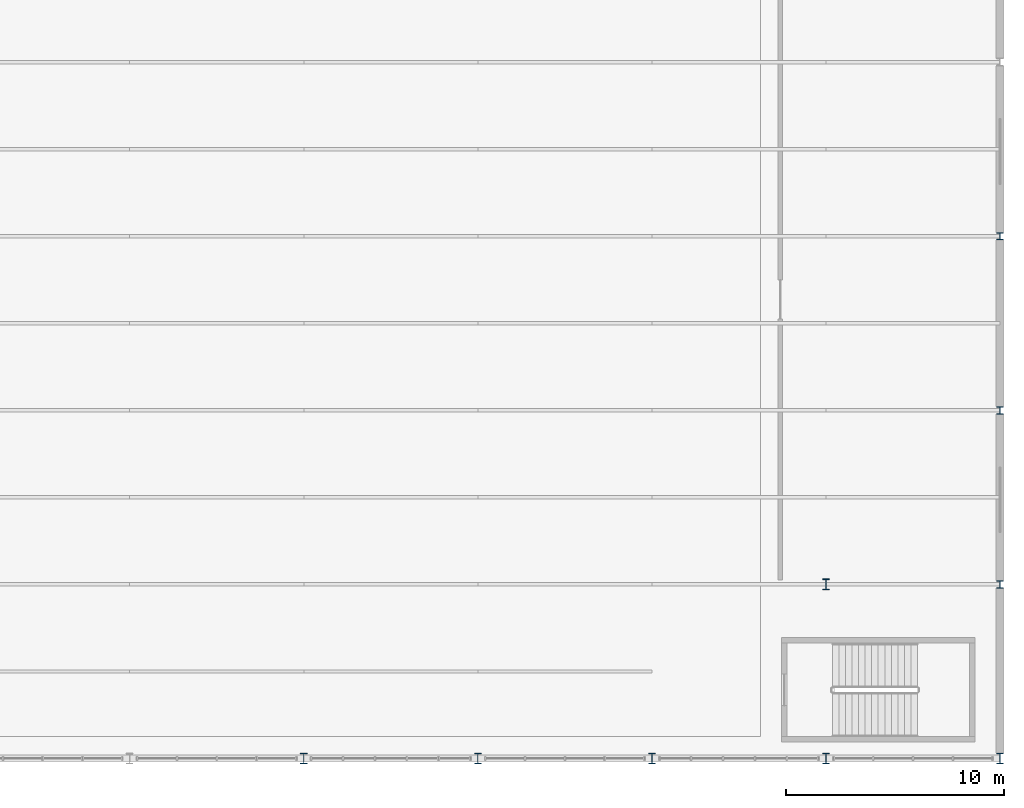
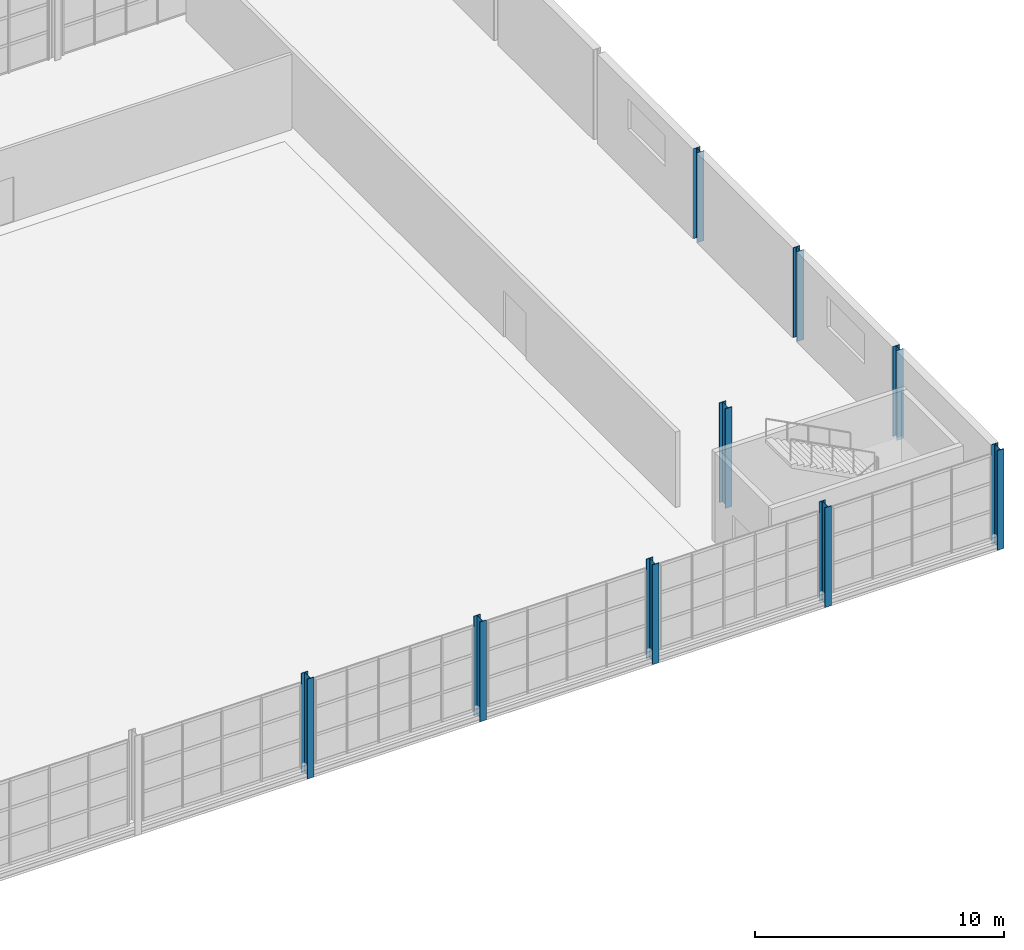
# One storey, part 13 of 153: 9 columns.
"""IFC4 building model written with IfcOpenShell, lengths in metres."""

from ifc_helpers import new_model, si_unit, derived_unit, direction, frame, origin, origin_2d, place, context, subcontext, project, spatial, i_section, extrude, material, material_profile, profile_set, type_object, element, save


model = new_model("IFC4")

# Units and contexts
model_context = context("Model", 3, precision=1e-05, world=origin(), true_north=direction((0.0, 1.0)))
body_context = subcontext(model_context, "Body", "Model", "MODEL_VIEW")
ifc_project = project(units=[si_unit("LENGTHUNIT", "METRE"), si_unit("AREAUNIT", "SQUARE_METRE"), si_unit("VOLUMEUNIT", "CUBIC_METRE"), si_unit("PLANEANGLEUNIT", "RADIAN"), si_unit("MASSUNIT", "GRAM", prefix="KILO"), derived_unit("THERMALTRANSMITTANCEUNIT", [(si_unit("POWERUNIT", "WATT"), 1), (si_unit("LENGTHUNIT", "METRE"), -2), (si_unit("THERMODYNAMICTEMPERATUREUNIT", "KELVIN"), -1)])], contexts=[model_context])

# Site, building, storey
site_placement = place(None, origin())
site = spatial("IfcSite", under=ifc_project, at=site_placement, CompositionType="ELEMENT")
building_placement = place(site_placement, origin())
building = spatial("IfcBuilding", under=site, at=building_placement, Name="Keldorne Ridge Multi-Sports Centre", CompositionType="ELEMENT")
storey_placement = place(building_placement, frame((0.0, 0.0, 9.60009765625)))
storey = spatial("IfcBuildingStorey", under=building, at=storey_placement, Name="L02", CompositionType="ELEMENT", Elevation=9.60009765625)

# Columns
ifc_material = material(Name="Steel S355", Category="steel")
ifc_material_profile_1 = material_profile(ifc_material, i_section(OverallWidth=0.300048828125, OverallDepth=0.5, WebThickness=0.014404296875, FlangeThickness=0.028076171875, FilletRadius=0.027099609375, at=origin_2d()), Name="HEB 500")
ifc_profile_set_1 = profile_set([ifc_material_profile_1], Name="Steel S355")
column_type_1 = type_object("IfcColumnType", Name="COL-C-05", PredefinedType="COLUMN", material=ifc_profile_set_1)
for number, where, z_axis, x_axis, name in (
    (1, (136.0, 6.0, -0.489990234375), (0.0, 0.0, 1.0), (1.0, 0.0, 0.0), "Structural column V2-TRUSS-S-05 on L02"),
    (2, (144.0, 6.0, -0.489990234375), (0.0, 0.0, 1.0), (1.0, 0.0, 0.0), "Structural column V2-TRUSS-S-06 on L02"),
    (3, (152.0, 6.0, -0.489990234375), (0.0, 0.0, 1.0), (1.0, 0.0, 0.0), "Structural column V2-TRUSS-S-07 on L02"),
    (4, (160.0, 6.0, -0.489990234375), (0.0, 0.0, 1.0), (1.0, 0.0, 0.0), "Structural column V2-TRUSS-S-08 on L02"),
    (5, (168.0, 6.0, -0.489990234375), (0.0, 0.0, 1.0), (1.0, 0.0, 0.0), "Structural column V2-TRUSS-S-09 on L02"),
    (6, (160.0, 14.0, -0.489990234375), (0.0, 0.0, 1.0), (1.0, 0.0, 0.0), "Structural column V2-C5-ANCH on L02"),
):
    element("IfcColumn", number, at=place(storey_placement, frame(where, z_axis=z_axis, x_axis=x_axis)), inside=storey, type_object=column_type_1, Name=name, PredefinedType="COLUMN", context=body_context, shape_type="SweptSolid", body=[
        extrude(i_section(OverallWidth=0.300048828125, OverallDepth=0.5, WebThickness=0.014404296875, FlangeThickness=0.028076171875, FilletRadius=0.027099609375, at=origin_2d()), origin(), (0.0, 0.0, 1.0), 4.889892578125),
    ])
ifc_material_profile_2 = material_profile(ifc_material, i_section(OverallWidth=0.300048828125, OverallDepth=0.340087890625, WebThickness=0.011962890625, FlangeThickness=0.021484375, FilletRadius=0.027099609375, at=origin_2d()), Name="HEB 340")
ifc_profile_set_2 = profile_set([ifc_material_profile_2], Name="Steel S355")
column_type_2 = type_object("IfcColumnType", Name="COL-C-11", PredefinedType="COLUMN", material=ifc_profile_set_2)
for number, where, z_axis, x_axis, name in (
    (7, (168.0, 14.0, 0.0), (0.0, 0.0, 1.0), (1.0, 0.0, 0.0), "Structural column V2-GABLE-E-01 on L02"),
    (8, (168.0, 22.0, 0.0), (0.0, 0.0, 1.0), (1.0, 0.0, 0.0), "Structural column V2-GABLE-E-02 on L02"),
    (9, (168.0, 30.0, 0.0), (0.0, 0.0, 1.0), (1.0, 0.0, 0.0), "Structural column V2-GABLE-E-03 on L02"),
):
    element("IfcColumn", number, at=place(storey_placement, frame(where, z_axis=z_axis, x_axis=x_axis)), inside=storey, type_object=column_type_2, Name=name, PredefinedType="COLUMN", context=body_context, shape_type="SweptSolid", body=[
        extrude(i_section(OverallWidth=0.300048828125, OverallDepth=0.340087890625, WebThickness=0.011962890625, FlangeThickness=0.021484375, FilletRadius=0.027099609375, at=origin_2d()), origin(), (0.0, 0.0, 1.0), 4.39990234375),
    ])

save(model, "model.ifc")
